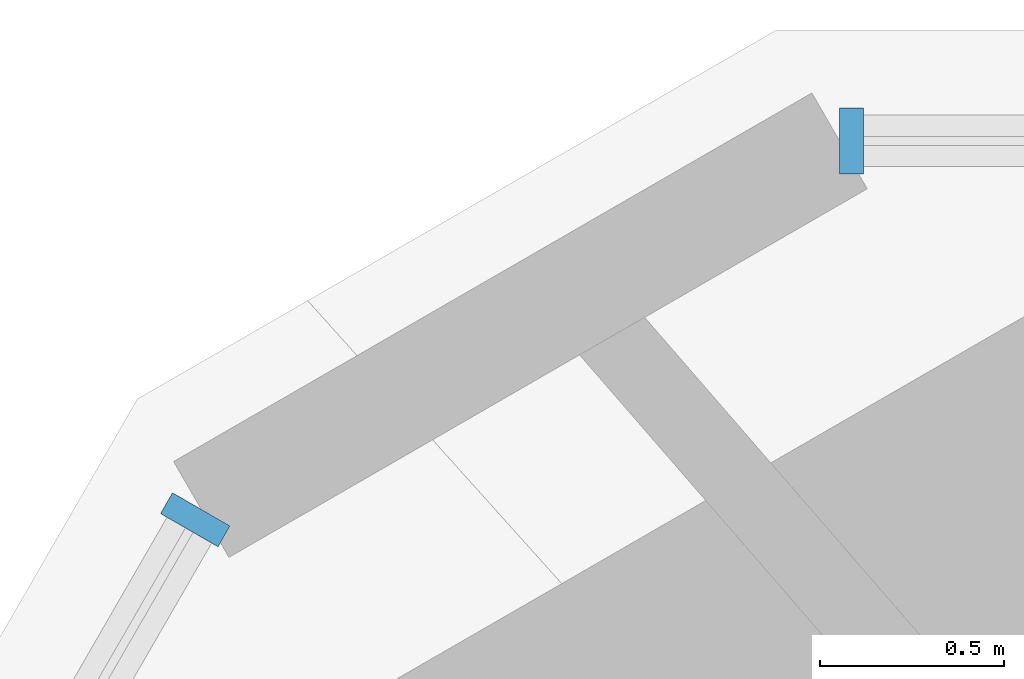
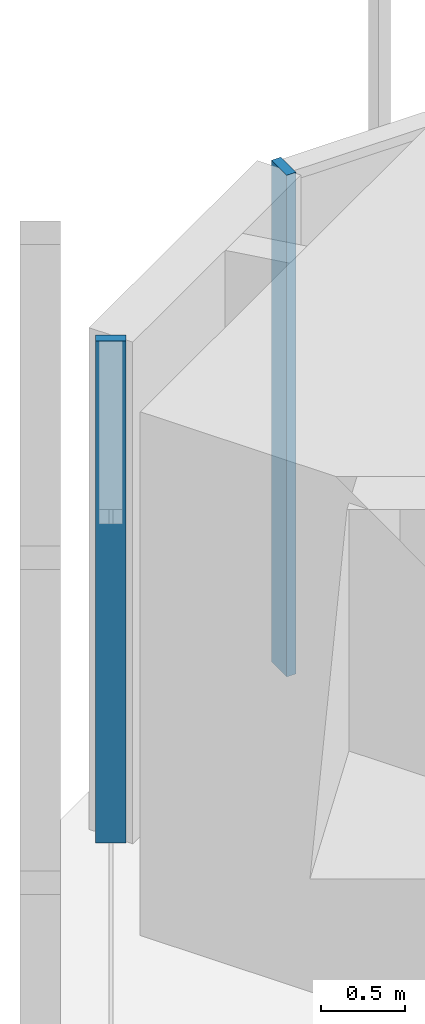
# One storey, part 160 of 256: 2 members, 2 elements without a shape of their own.
"""IFC4 building model written with IfcOpenShell, lengths in metres."""

from ifc_helpers import new_model, si_unit, direction, frame, origin, origin_2d, place, context, subcontext, project, spatial, rectangle, extrude, material, material_profile, profile_set, type_object, element, aggregate, save


model = new_model("IFC4")

# Units and contexts
model_context = context("Model", 3, precision=1e-05, world=origin(), true_north=direction((0.0, 1.0)))
body_context = subcontext(model_context, "Body", "Model", "MODEL_VIEW")
ifc_project = project(units=[si_unit("LENGTHUNIT", "METRE"), si_unit("AREAUNIT", "SQUARE_METRE"), si_unit("VOLUMEUNIT", "CUBIC_METRE"), si_unit("PLANEANGLEUNIT", "RADIAN"), si_unit("MASSUNIT", "GRAM", prefix="KILO")], contexts=[model_context])

# Site, building, storey
site_placement = place(None, origin())
site = spatial("IfcSite", under=ifc_project, at=site_placement, CompositionType="ELEMENT")
building_placement = place(site_placement, origin())
building = spatial("IfcBuilding", under=site, at=building_placement, Name="Sandreach Pilgrim Tower", CompositionType="ELEMENT")
storey_placement = place(building_placement, frame((0.0, 0.0, 23.0)))
storey = spatial("IfcBuildingStorey", under=building, at=storey_placement, Name="L04", CompositionType="ELEMENT", Elevation=23.0)

# Curtain wall, member
ifc_material_1 = material(Name="Aluminium framed curtain wall", Category="aluminium")
curtain_wall_type = type_object("IfcCurtainWallType", Name="Hostel tower curtain wall", PredefinedType="NOTDEFINED", material=ifc_material_1)
curtain_wall_1_placement = place(storey_placement, origin())
curtain_wall_1 = element("IfcCurtainWall", 1, at=curtain_wall_1_placement, inside=storey, type_object=curtain_wall_type, Name="CW-1 L04 N", PredefinedType="NOTDEFINED")
ifc_material_2 = material(Name="Aluminium extrusion", Category="aluminium")
ifc_material_profile = material_profile(ifc_material_2, rectangle(XDim=0.06494140625, YDim=0.179931640625, at=origin_2d()), Name="CW-1M 65X180")
ifc_profile_set = profile_set([ifc_material_profile], Name="Aluminium extrusion")
member_type = type_object("IfcMemberType", Name="CW-1 mullion", PredefinedType="MULLION", material=ifc_profile_set)
member_1_placement = place(storey_placement, frame((-19.6396484375, 23.94873046875, 0.0), z_axis=(0.0, 0.0, 1.0), x_axis=(1.0, 0.0, 0.0)))
member_1 = element("IfcMember", 2, at=member_1_placement, type_object=member_type, Name="CW-1 mullion 1", PredefinedType="MULLION", context=body_context, shape_type="SweptSolid", body=[
    extrude(rectangle(XDim=0.06494140625, YDim=0.179931640625, at=origin_2d()), origin(), (0.0, 0.0, 1.0), 3.639892578125),
])
aggregate(curtain_wall_1, [member_1])

curtain_wall_2_placement = place(storey_placement, origin())
curtain_wall_2 = element("IfcCurtainWall", 3, at=curtain_wall_2_placement, inside=storey, type_object=curtain_wall_type, Name="CW-1 L04 NW", PredefinedType="NOTDEFINED")
member_2_placement = place(storey_placement, frame((-21.42041015625, 22.920654296875, 0.0), z_axis=(0.0, 0.0, 1.0), x_axis=(0.5, 0.866025403784, 0.0)))
member_2 = element("IfcMember", 4, at=member_2_placement, type_object=member_type, Name="CW-1 mullion 5", PredefinedType="MULLION", context=body_context, shape_type="SweptSolid", body=[
    extrude(rectangle(XDim=0.06494140625, YDim=0.179931640625, at=origin_2d()), origin(), (0.0, 0.0, 1.0), 3.639892578125),
])
aggregate(curtain_wall_2, [member_2])

save(model, "model.ifc")
